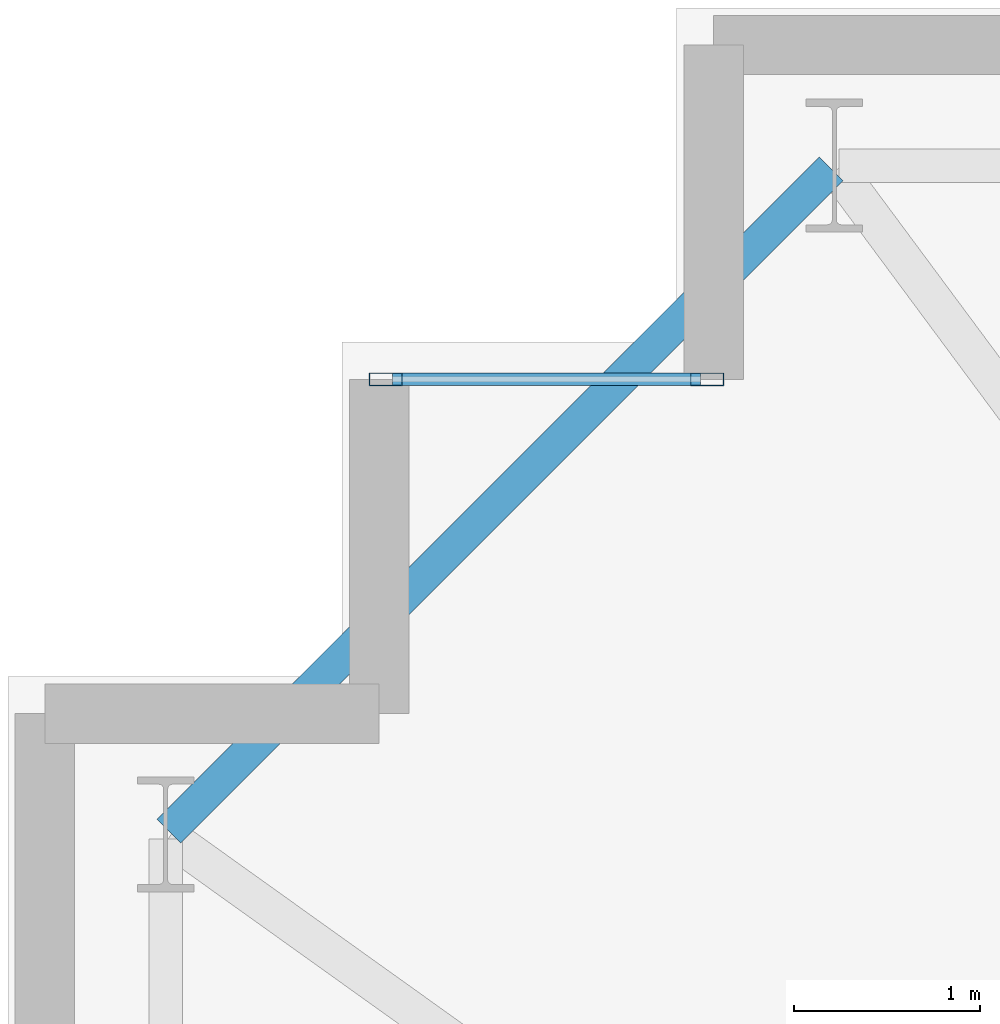
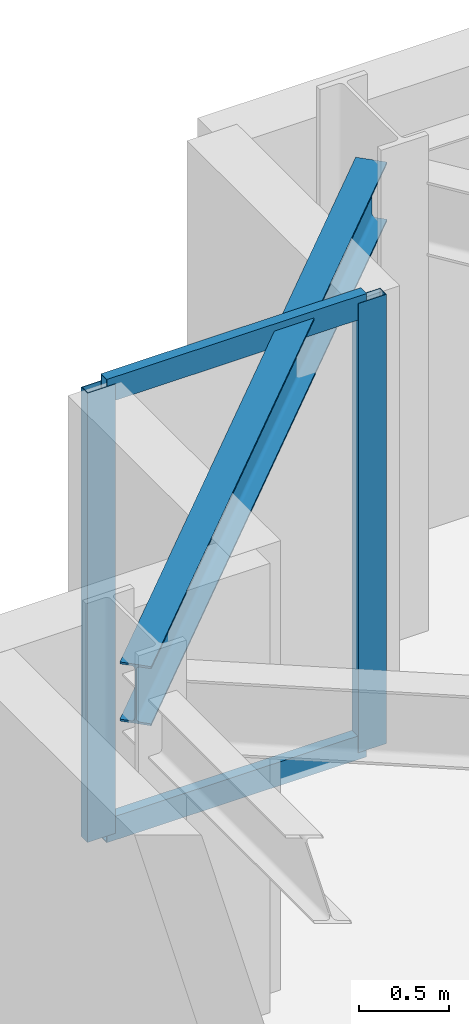
# One storey, part 8 of 22: 4 members, 1 beam, 1 element without a shape of its own.
"""IFC4 building model written with IfcOpenShell, lengths in metres."""

from ifc_helpers import new_model, si_unit, direction, frame, origin, origin_2d, place, context, subcontext, project, spatial, hollow_rectangle, i_section, extrude, material, layer, layer_set, material_profile, profile_set, type_object, element, aggregate, save


model = new_model("IFC4")

# Units and contexts
model_context = context("Model", 3, precision=1e-05, world=origin(), true_north=direction((0.0, 1.0)))
body_context = subcontext(model_context, "Body", "Model", "MODEL_VIEW")
ifc_project = project(units=[si_unit("LENGTHUNIT", "METRE"), si_unit("AREAUNIT", "SQUARE_METRE"), si_unit("VOLUMEUNIT", "CUBIC_METRE"), si_unit("PLANEANGLEUNIT", "RADIAN"), si_unit("MASSUNIT", "GRAM", prefix="KILO")], contexts=[model_context])

# Site, building, storey
site_placement = place(None, origin())
site = spatial("IfcSite", under=ifc_project, at=site_placement, CompositionType="ELEMENT")
building_placement = place(site_placement, origin())
building = spatial("IfcBuilding", under=site, at=building_placement, Name="Qobustan Lattice House", CompositionType="ELEMENT")
storey_placement = place(building_placement, frame((0.0, 0.0, 60.5)))
storey = spatial("IfcBuildingStorey", under=building, at=storey_placement, Name="L16", CompositionType="ELEMENT", Elevation=60.5)

# Beam
ifc_material_1 = material(Name="Steel S355", Category="steel")
ifc_material_profile_1 = material_profile(ifc_material_1, i_section(OverallWidth=0.179931640625, OverallDepth=0.39990234375, WebThickness=0.008544921875, FlangeThickness=0.013427734375, FilletRadius=0.02099609375, at=origin_2d()), Name="IPE400")
ifc_profile_set_1 = profile_set([ifc_material_profile_1], Name="Steel S355")
beam_type = type_object("IfcBeamType", Name="BM-SPD-IPE400", PredefinedType="SPANDREL", material=ifc_profile_set_1)
beam_placement = place(storey_placement, frame((-28.567626953125, 18.732421875, 2.8349609375), z_axis=(-0.707106781187, -0.707106781187, 0.0), x_axis=(0.707106781187, -0.707106781187, 0.0)))
element("IfcBeam", 1, at=beam_placement, inside=storey, type_object=beam_type, Name="L16 perimeter spandrel N7-W1", PredefinedType="SPANDREL", context=body_context, shape_type="SweptSolid", body=[
    extrude(i_section(OverallWidth=0.179931640625, OverallDepth=0.39990234375, WebThickness=0.008544921875, FlangeThickness=0.013427734375, FilletRadius=0.02099609375, at=origin_2d()), origin(), (0.0, 0.0, 1.0), 5.041259765625),
])

# Curtain wall, members
ifc_material_2 = material(Name="Anodised aluminium and low-E glazing", Category="aluminium")
ifc_layer = layer(ifc_material_2, 0.219970703125)
ifc_layer_set = layer_set([ifc_layer], Name="Anodised aluminium and low-E glazing")
curtain_wall_type = type_object("IfcCurtainWallType", Name="CW-FAC-01", PredefinedType="USERDEFINED", material=ifc_layer_set)
curtain_wall_placement = place(storey_placement, origin())
curtain_wall = element("IfcCurtainWall", 2, at=curtain_wall_placement, inside=storey, type_object=curtain_wall_type, Name="L16 serrated corner faceted glazing 8", ObjectType="CURTAIN WALL", PredefinedType="USERDEFINED")
ifc_material_3 = material(Name="Anodised aluminium EN AW-6063 T6", Category="aluminium")
ifc_material_profile_2 = material_profile(ifc_material_3, hollow_rectangle(XDim=0.070068359375, YDim=0.179931640625, WallThickness=0.00439453125, at=origin_2d()), Name="CWM-180x70")
ifc_profile_set_2 = profile_set([ifc_material_profile_2], Name="Anodised aluminium EN AW-6063 T6")
member_type_1 = type_object("IfcMemberType", Name="CWM-STD-180", PredefinedType="MULLION", material=ifc_profile_set_2)
member_1_placement = place(storey_placement, frame((-30.965087890625, 17.60009765625, 0.0), z_axis=(0.0, 0.0, 1.0), x_axis=(0.0, 1.0, 0.0)))
member_1 = element("IfcMember", 3, at=member_1_placement, type_object=member_type_1, Name="CW-F1 mullion 1", PredefinedType="MULLION", context=body_context, shape_type="SweptSolid", body=[
    extrude(hollow_rectangle(XDim=0.070068359375, YDim=0.179931640625, WallThickness=0.00439453125, at=origin_2d()), origin(), (0.0, 0.0, 1.0), 3.034912109375),
])
member_2_placement = place(storey_placement, frame((-29.235107421875, 17.60009765625, 0.0), z_axis=(0.0, 0.0, 1.0), x_axis=(0.0, 1.0, 0.0)))
member_2 = element("IfcMember", 4, at=member_2_placement, type_object=member_type_1, Name="CW-F1 mullion 2", PredefinedType="MULLION", context=body_context, shape_type="SweptSolid", body=[
    extrude(hollow_rectangle(XDim=0.070068359375, YDim=0.179931640625, WallThickness=0.00439453125, at=origin_2d()), origin(), (0.0, 0.0, 1.0), 3.034912109375),
])
ifc_material_4 = material(Name="Anodised aluminium EN AW-6063 T6", Category="aluminium")
ifc_material_profile_3 = material_profile(ifc_material_4, hollow_rectangle(XDim=0.06494140625, YDim=0.159912109375, WallThickness=0.00390625, at=origin_2d()), Name="CWT-160x65")
ifc_profile_set_3 = profile_set([ifc_material_profile_3], Name="Anodised aluminium EN AW-6063 T6")
member_type_2 = type_object("IfcMemberType", Name="CWT-HOR-160", PredefinedType="USERDEFINED", material=ifc_profile_set_3)
member_3_placement = place(storey_placement, frame((-30.929931640625, 17.60009765625, 0.032470703125), z_axis=(1.0, 0.0, 0.0), x_axis=(0.0, 1.0, 0.0)))
member_3 = element("IfcMember", 5, at=member_3_placement, type_object=member_type_2, Name="CW-F1 transom 1.1", ObjectType="TRANSOM", PredefinedType="USERDEFINED", context=body_context, shape_type="SweptSolid", body=[
    extrude(hollow_rectangle(XDim=0.06494140625, YDim=0.159912109375, WallThickness=0.00390625, at=origin_2d()), origin(), (0.0, 0.0, 1.0), 1.659912109375),
])
member_4_placement = place(storey_placement, frame((-30.929931640625, 17.60009765625, 3.00244140625), z_axis=(1.0, 0.0, 0.0), x_axis=(0.0, 1.0, 0.0)))
member_4 = element("IfcMember", 6, at=member_4_placement, type_object=member_type_2, Name="CW-F1 transom 1.2", ObjectType="TRANSOM", PredefinedType="USERDEFINED", context=body_context, shape_type="SweptSolid", body=[
    extrude(hollow_rectangle(XDim=0.06494140625, YDim=0.159912109375, WallThickness=0.00390625, at=origin_2d()), origin(), (0.0, 0.0, 1.0), 1.659912109375),
])
aggregate(curtain_wall, [member_1, member_2, member_3, member_4])

save(model, "model.ifc")
